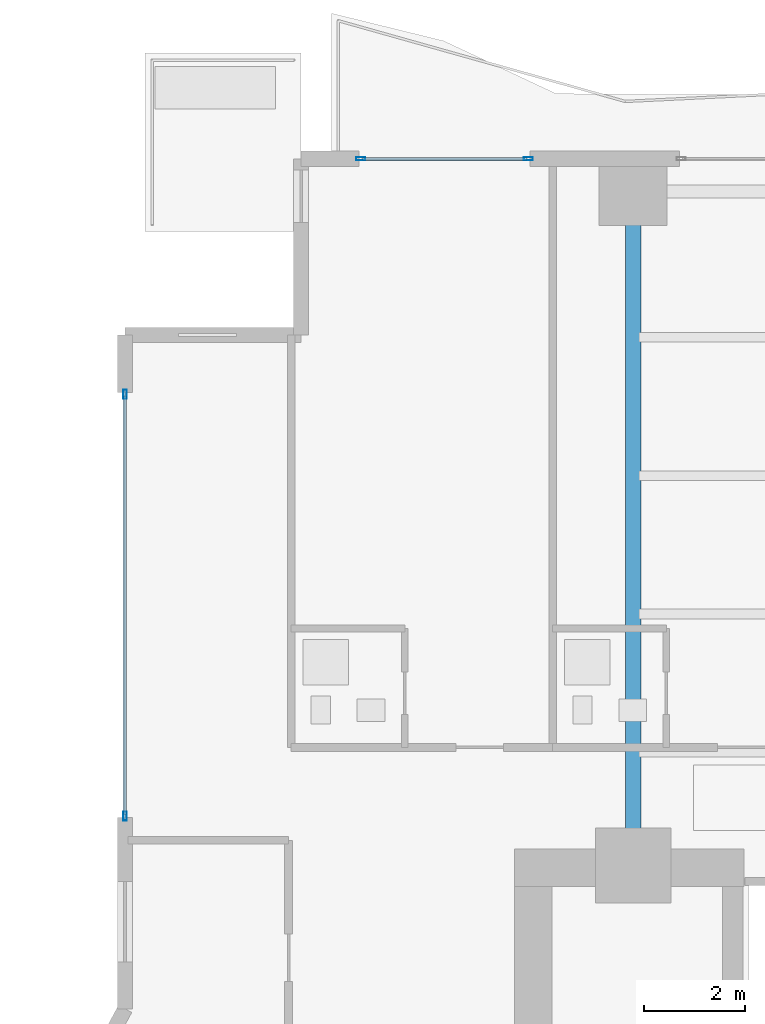
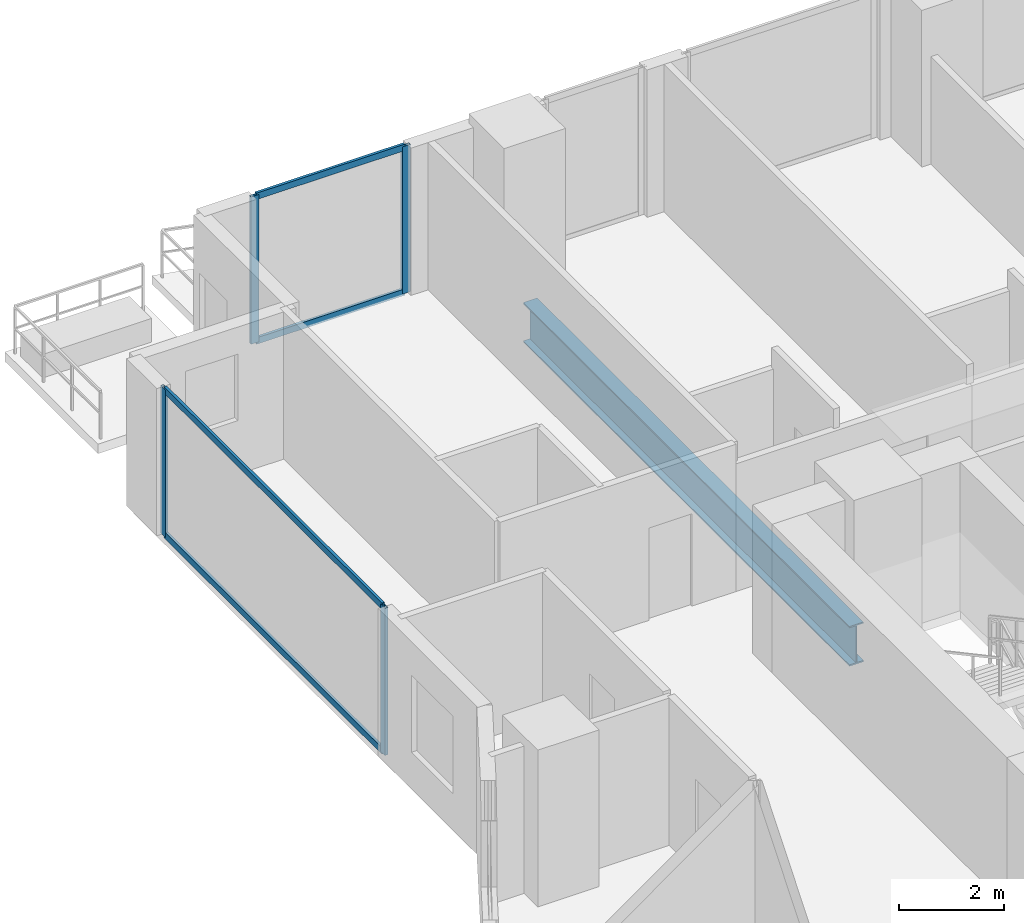
# One storey, part 14 of 29: 8 members, 1 beam, 2 elements without a shape of their own.
"""IFC4 building model written with IfcOpenShell, lengths in metres."""

from ifc_helpers import new_model, si_unit, direction, frame, origin, origin_2d, place, context, subcontext, project, spatial, hollow_rectangle, i_section, extrude, material, layer, layer_set, material_profile, profile_set, type_object, element, aggregate, save


model = new_model("IFC4")

# Units and contexts
model_context = context("Model", 3, precision=1e-05, world=origin(), true_north=direction((0.0, 1.0)))
body_context = subcontext(model_context, "Body", "Model", "MODEL_VIEW")
ifc_project = project(units=[si_unit("LENGTHUNIT", "METRE"), si_unit("AREAUNIT", "SQUARE_METRE"), si_unit("VOLUMEUNIT", "CUBIC_METRE"), si_unit("PLANEANGLEUNIT", "RADIAN"), si_unit("MASSUNIT", "GRAM", prefix="KILO")], contexts=[model_context])

# Site, building, storey
site_placement = place(None, origin())
site = spatial("IfcSite", under=ifc_project, at=site_placement, CompositionType="ELEMENT")
building_placement = place(site_placement, origin())
building = spatial("IfcBuilding", under=site, at=building_placement, Name="Zuhayl Quay Hotel", CompositionType="ELEMENT")
storey_placement = place(building_placement, frame((0.0, 0.0, 113.89990234375)))
storey = spatial("IfcBuildingStorey", under=building, at=storey_placement, Name="L28", CompositionType="ELEMENT", Elevation=113.89990234375)

# Beam
ifc_material_1 = material(Name="Steel ASTM A992 Grade 50", Category="steel")
ifc_material_profile_1 = material_profile(ifc_material_1, i_section(OverallWidth=0.306884765625, OverallDepth=0.927001953125, WebThickness=0.019287109375, FlangeThickness=0.031982421875, at=origin_2d()), Name="W36X194")
ifc_profile_set_1 = profile_set([ifc_material_profile_1], Name="Steel ASTM A992 Grade 50")
beam_type = type_object("IfcBeamType", Name="BM_PG2_W36X194", PredefinedType="BEAM", material=ifc_profile_set_1)
beam_placement = place(storey_placement, frame((-13.800048828125, 14.800048828125, -0.683349609375), z_axis=(0.0, 1.0, 0.0), x_axis=(-1.0, 0.0, 0.0)))
element("IfcBeam", 1, at=beam_placement, inside=storey, type_object=beam_type, Name="L28 Floor Beam FG_N_L28_1", PredefinedType="BEAM", context=body_context, shape_type="SweptSolid", body=[
    extrude(i_section(OverallWidth=0.306884765625, OverallDepth=0.927001953125, WebThickness=0.019287109375, FlangeThickness=0.031982421875, at=origin_2d()), origin(), (0.0, 0.0, 1.0), 12.449951171875),
])

# Curtain wall, members
ifc_material_2 = material(Name="Anodised Aluminium 6063-T6", Category="aluminium")
ifc_layer = layer(ifc_material_2, 0.179931640625, Name="Anodised Aluminium 6063-T6", Category="aluminium")
ifc_layer_set = layer_set([ifc_layer], Name="Anodised Aluminium 6063-T6")
curtain_wall_type = type_object("IfcCurtainWallType", Name="CW_SYS_Z2", PredefinedType="USERDEFINED", material=ifc_layer_set)
curtain_wall_1_placement = place(storey_placement, origin())
curtain_wall_1 = element("IfcCurtainWall", 2, at=curtain_wall_1_placement, inside=storey, type_object=curtain_wall_type, Name="L28 Curtain Wall ENV_L28_E05_CW1", ObjectType="UNITISED CURTAIN WALL", PredefinedType="USERDEFINED")
ifc_material_3 = material(Name="Black-anodised aluminium 6063-T6", Category="aluminium")
ifc_material_profile_2 = material_profile(ifc_material_3, hollow_rectangle(XDim=0.06494140625, YDim=0.179931640625, WallThickness=0.00341796875, at=origin_2d()), Name="ALU180X65")
ifc_profile_set_2 = profile_set([ifc_material_profile_2], Name="Black-anodised aluminium 6063-T6")
member_type_1 = type_object("IfcMemberType", Name="MB_CW_MUL_180", PredefinedType="MULLION", material=ifc_profile_set_2)
member_1_placement = place(storey_placement, frame((-23.89990234375, 15.33251953125, 0.0), z_axis=(0.0, 0.0, 1.0), x_axis=(-1.0, 0.0, 0.0)))
member_1 = element("IfcMember", 3, at=member_1_placement, type_object=member_type_1, Name="CW-Z2 mullion 1", PredefinedType="MULLION", context=body_context, shape_type="SweptSolid", body=[
    extrude(hollow_rectangle(XDim=0.06494140625, YDim=0.179931640625, WallThickness=0.00341796875, at=origin_2d()), origin(), (0.0, 0.0, 1.0), 3.43017578125),
])
member_2_placement = place(storey_placement, frame((-23.89990234375, 23.717529296875, 0.0), z_axis=(0.0, 0.0, 1.0), x_axis=(-1.0, 0.0, 0.0)))
member_2 = element("IfcMember", 4, at=member_2_placement, type_object=member_type_1, Name="CW-Z2 mullion 2", PredefinedType="MULLION", context=body_context, shape_type="SweptSolid", body=[
    extrude(hollow_rectangle(XDim=0.06494140625, YDim=0.179931640625, WallThickness=0.00341796875, at=origin_2d()), origin(), (0.0, 0.0, 1.0), 3.43017578125),
])

curtain_wall_2_placement = place(storey_placement, origin())
curtain_wall_2 = element("IfcCurtainWall", 5, at=curtain_wall_2_placement, inside=storey, type_object=curtain_wall_type, Name="L28 Curtain Wall ENV_L28_N_CW1", ObjectType="UNITISED CURTAIN WALL", PredefinedType="USERDEFINED")
member_3_placement = place(storey_placement, frame((-19.217529296875, 28.39990234375, 0.0), z_axis=(0.0, 0.0, 1.0), x_axis=(0.0, 1.0, 0.0)))
member_3 = element("IfcMember", 6, at=member_3_placement, type_object=member_type_1, Name="CW-Z2 mullion 1", PredefinedType="MULLION", context=body_context, shape_type="SweptSolid", body=[
    extrude(hollow_rectangle(XDim=0.06494140625, YDim=0.179931640625, WallThickness=0.00341796875, at=origin_2d()), origin(), (0.0, 0.0, 1.0), 3.43017578125),
])
member_4_placement = place(storey_placement, frame((-15.882568359375, 28.39990234375, 0.0), z_axis=(0.0, 0.0, 1.0), x_axis=(0.0, 1.0, 0.0)))
member_4 = element("IfcMember", 7, at=member_4_placement, type_object=member_type_1, Name="CW-Z2 mullion 2", PredefinedType="MULLION", context=body_context, shape_type="SweptSolid", body=[
    extrude(hollow_rectangle(XDim=0.06494140625, YDim=0.179931640625, WallThickness=0.00341796875, at=origin_2d()), origin(), (0.0, 0.0, 1.0), 3.43017578125),
])

# Member
ifc_material_profile_3 = material_profile(ifc_material_3, hollow_rectangle(XDim=0.06005859375, YDim=0.14990234375, WallThickness=0.00341796875, at=origin_2d()), Name="ALU150X60")
ifc_profile_set_3 = profile_set([ifc_material_profile_3], Name="Black-anodised aluminium 6063-T6")
member_type_2 = type_object("IfcMemberType", Name="MB_CW_TRN_150", PredefinedType="USERDEFINED", material=ifc_profile_set_3)
member_5_placement = place(storey_placement, frame((-23.89990234375, 15.364990234375, 0.030029296875), z_axis=(0.0, 1.0, 0.0), x_axis=(-1.0, 0.0, 0.0)))
member_5 = element("IfcMember", 8, at=member_5_placement, type_object=member_type_2, Name="CW-Z2 transom 1.1", ObjectType="TRANSOM", PredefinedType="USERDEFINED", context=body_context, shape_type="SweptSolid", body=[
    extrude(hollow_rectangle(XDim=0.06005859375, YDim=0.14990234375, WallThickness=0.00341796875, at=origin_2d()), origin(), (0.0, 0.0, 1.0), 8.320068359375),
])

member_6_placement = place(storey_placement, frame((-23.89990234375, 15.364990234375, 3.400146484375), z_axis=(0.0, 1.0, 0.0), x_axis=(-1.0, 0.0, 0.0)))
member_6 = element("IfcMember", 9, at=member_6_placement, type_object=member_type_2, Name="CW-Z2 transom 1.2", ObjectType="TRANSOM", PredefinedType="USERDEFINED", context=body_context, shape_type="SweptSolid", body=[
    extrude(hollow_rectangle(XDim=0.06005859375, YDim=0.14990234375, WallThickness=0.00341796875, at=origin_2d()), origin(), (0.0, 0.0, 1.0), 8.320068359375),
])

aggregate(curtain_wall_1, [member_1, member_2, member_5, member_6])

member_7_placement = place(storey_placement, frame((-19.18505859375, 28.39990234375, 0.030029296875), z_axis=(1.0, 0.0, 0.0), x_axis=(0.0, 1.0, 0.0)))
member_7 = element("IfcMember", 10, at=member_7_placement, type_object=member_type_2, Name="CW-Z2 transom 1.1", ObjectType="TRANSOM", PredefinedType="USERDEFINED", context=body_context, shape_type="SweptSolid", body=[
    extrude(hollow_rectangle(XDim=0.06005859375, YDim=0.14990234375, WallThickness=0.00341796875, at=origin_2d()), origin(), (0.0, 0.0, 1.0), 3.27001953125),
])

member_8_placement = place(storey_placement, frame((-19.18505859375, 28.39990234375, 3.400146484375), z_axis=(1.0, 0.0, 0.0), x_axis=(0.0, 1.0, 0.0)))
member_8 = element("IfcMember", 11, at=member_8_placement, type_object=member_type_2, Name="CW-Z2 transom 1.2", ObjectType="TRANSOM", PredefinedType="USERDEFINED", context=body_context, shape_type="SweptSolid", body=[
    extrude(hollow_rectangle(XDim=0.06005859375, YDim=0.14990234375, WallThickness=0.00341796875, at=origin_2d()), origin(), (0.0, 0.0, 1.0), 3.27001953125),
])

aggregate(curtain_wall_2, [member_3, member_4, member_7, member_8])

save(model, "model.ifc")
